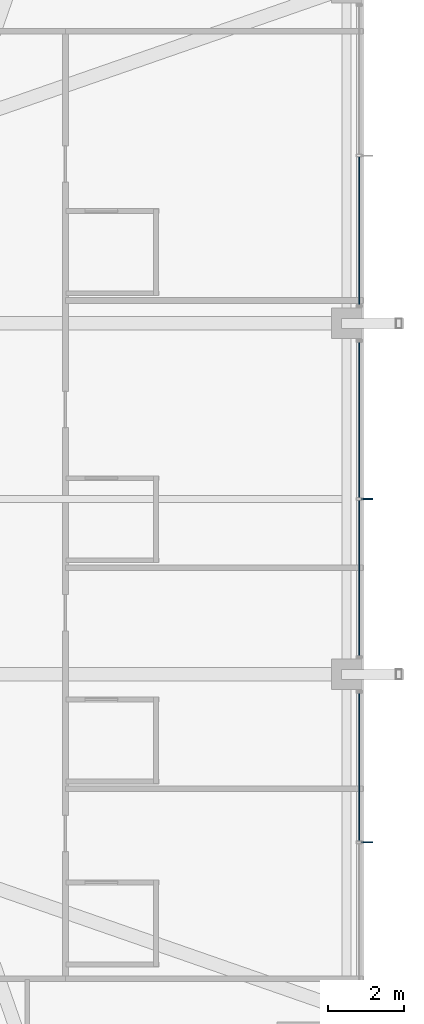
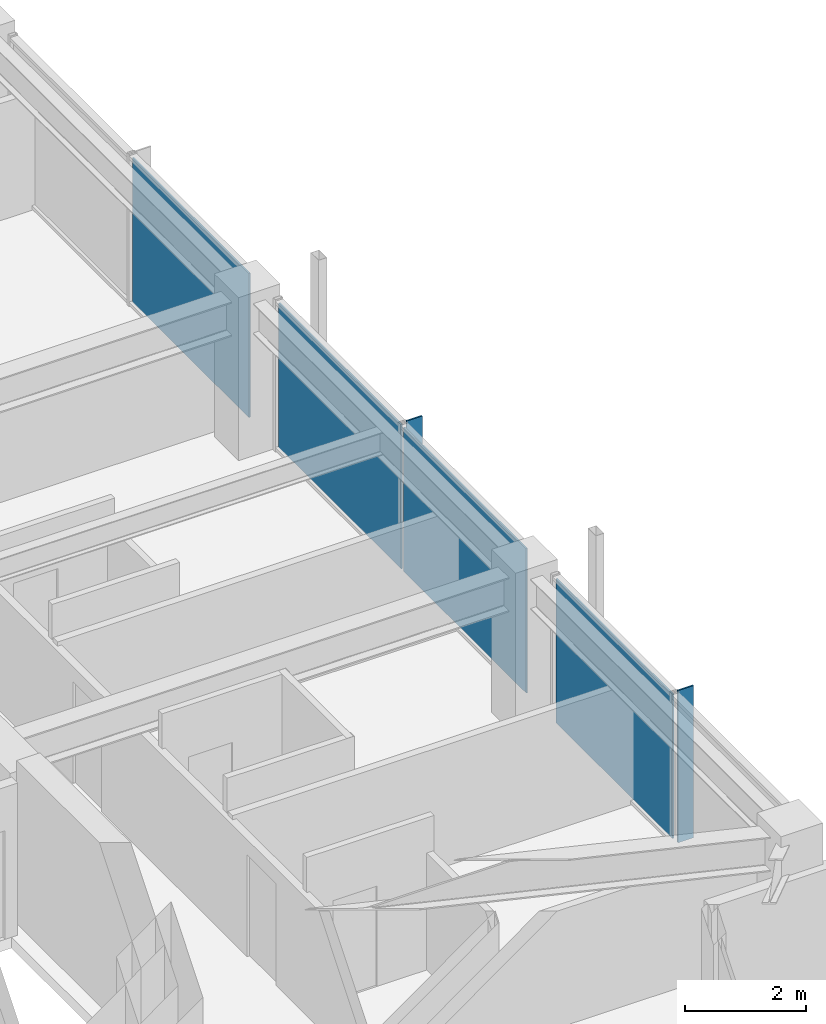
# One storey, part 28 of 38: 6 plates, 3 elements without a shape of their own.
"""IFC4 building model written with IfcOpenShell, lengths in metres."""

from ifc_helpers import new_model, si_unit, direction, frame, origin, origin_2d, place, context, subcontext, project, spatial, rectangle, extrude, material, layer, layer_set, type_object, element, aggregate, save


model = new_model("IFC4")

# Units and contexts
model_context = context("Model", 3, precision=1e-05, world=origin(), true_north=direction((0.0, 1.0)))
body_context = subcontext(model_context, "Body", "Model", "MODEL_VIEW")
ifc_project = project(units=[si_unit("LENGTHUNIT", "METRE"), si_unit("AREAUNIT", "SQUARE_METRE"), si_unit("VOLUMEUNIT", "CUBIC_METRE"), si_unit("PLANEANGLEUNIT", "RADIAN"), si_unit("MASSUNIT", "GRAM", prefix="KILO")], contexts=[model_context])

# Site, building, storey
site_placement = place(None, origin())
site = spatial("IfcSite", under=ifc_project, at=site_placement, CompositionType="ELEMENT")
building_placement = place(site_placement, origin())
building = spatial("IfcBuilding", under=site, at=building_placement, Name="Kolvaren Belvedere", CompositionType="ELEMENT")
storey_placement = place(building_placement, frame((0.0, 0.0, 213.0)))
storey = spatial("IfcBuildingStorey", under=building, at=storey_placement, Name="L62", CompositionType="ELEMENT", Elevation=213.0)

# Curtain wall, plate
ifc_material_1 = material(Name="Anodised pale-metal aluminium AA 6063-T6", Category="aluminium")
curtain_wall_type = type_object("IfcCurtainWallType", Name="CW-Z5-HIGH", PredefinedType="NOTDEFINED", material=ifc_material_1)
curtain_wall_1_placement = place(storey_placement, origin())
curtain_wall_1 = element("IfcCurtainWall", 1, at=curtain_wall_1_placement, inside=storey, type_object=curtain_wall_type, Name="L62 Unitised Curtain Wall FCW-L62-E-B1", PredefinedType="NOTDEFINED")
ifc_material_2 = material(Name="Low-iron triple insulated glass", Category="glass")
ifc_layer_1 = layer(ifc_material_2, 0.028076171875)
ifc_layer_set_1 = layer_set([ifc_layer_1], Name="Low-iron triple insulated glass")
plate_type_1 = type_object("IfcPlateType", Name="CW-PNL-VIS28", PredefinedType="CURTAIN_PANEL", material=ifc_layer_set_1)
plate_1_placement = place(storey_placement, frame((20.280029296875, 7.027587890625, 0.080078125), z_axis=(0.0, 0.0, 1.0), x_axis=(0.0, -1.0, 0.0)))
plate_1 = element("IfcPlate", 2, at=plate_1_placement, type_object=plate_type_1, Name="FCW-L62-E-B1 Vision Glazing Panel 2", PredefinedType="CURTAIN_PANEL", context=body_context, shape_type="SweptSolid", body=[
    extrude(rectangle(XDim=3.864990234375, YDim=0.028076171875, at=origin_2d()), origin(), (0.0, 0.0, 1.0), 2.919921875),
])
aggregate(curtain_wall_1, [plate_1])

# Curtain wall, plates
curtain_wall_2_placement = place(storey_placement, origin())
curtain_wall_2 = element("IfcCurtainWall", 3, at=curtain_wall_2_placement, inside=storey, type_object=curtain_wall_type, Name="L62 Unitised Curtain Wall FCW-L62-E-B2", PredefinedType="NOTDEFINED")
plate_2_placement = place(storey_placement, frame((20.280029296875, 2.072509765625, 0.080078125), z_axis=(0.0, 0.0, 1.0), x_axis=(0.0, -1.0, 0.0)))
plate_2 = element("IfcPlate", 4, at=plate_2_placement, type_object=plate_type_1, Name="FCW-L62-E-B2 Vision Glazing Panel 1", PredefinedType="CURTAIN_PANEL", context=body_context, shape_type="SweptSolid", body=[
    extrude(rectangle(XDim=4.06494140625, YDim=0.028076171875, at=origin_2d()), origin(), (0.0, 0.0, 1.0), 2.919921875),
])
plate_3_placement = place(storey_placement, frame((20.280029296875, -2.072509765625, 0.080078125), z_axis=(0.0, 0.0, 1.0), x_axis=(0.0, -1.0, 0.0)))
plate_3 = element("IfcPlate", 5, at=plate_3_placement, type_object=plate_type_1, Name="FCW-L62-E-B2 Vision Glazing Panel 2", PredefinedType="CURTAIN_PANEL", context=body_context, shape_type="SweptSolid", body=[
    extrude(rectangle(XDim=4.06494140625, YDim=0.028076171875, at=origin_2d()), origin(), (0.0, 0.0, 1.0), 2.919921875),
])
aggregate(curtain_wall_2, [plate_2, plate_3])

# Curtain wall, plate
curtain_wall_3_placement = place(storey_placement, origin())
curtain_wall_3 = element("IfcCurtainWall", 6, at=curtain_wall_3_placement, inside=storey, type_object=curtain_wall_type, Name="L62 Unitised Curtain Wall FCW-L62-E-B3", PredefinedType="NOTDEFINED")
plate_4_placement = place(storey_placement, frame((20.280029296875, -7.027587890625, 0.080078125), z_axis=(0.0, 0.0, 1.0), x_axis=(0.0, -1.0, 0.0)))
plate_4 = element("IfcPlate", 7, at=plate_4_placement, type_object=plate_type_1, Name="FCW-L62-E-B3 Vision Glazing Panel 1", PredefinedType="CURTAIN_PANEL", context=body_context, shape_type="SweptSolid", body=[
    extrude(rectangle(XDim=3.864990234375, YDim=0.028076171875, at=origin_2d()), origin(), (0.0, 0.0, 1.0), 2.919921875),
])
aggregate(curtain_wall_3, [plate_4])

# Plates
ifc_material_3 = material(Name="Anodised pale-metal aluminium AA 6063-T6", Category="aluminium")
ifc_layer_2 = layer(ifc_material_3, 0.030029296875)
ifc_layer_set_2 = layer_set([ifc_layer_2], Name="Anodised pale-metal aluminium AA 6063-T6")
plate_type_2 = type_object("IfcPlateType", Name="FIN-VERT-300", PredefinedType="USERDEFINED", material=ifc_layer_set_2)
for number, where, z_axis, x_axis, name in (
    (8, (20.489990234375, 0.0, 0.0), (0.0, 0.0, 1.0), (1.0, 0.0, 0.0), "L62 Pale-Metal Vertical Shading Fin FCW-L62-E-B2-1"),
    (9, (20.489990234375, -9.0, 0.0), (0.0, 0.0, 1.0), (1.0, 0.0, 0.0), "L62 Pale-Metal Vertical Shading Fin FCW-L62-E-B3-1"),
):
    element("IfcPlate", number, at=place(storey_placement, frame(where, z_axis=z_axis, x_axis=x_axis)), inside=storey, type_object=plate_type_2, Name=name, ObjectType="VERTICAL FIN", PredefinedType="USERDEFINED", context=body_context, shape_type="SweptSolid", body=[
        extrude(rectangle(XDim=0.300048828125, YDim=0.030029296875, at=origin_2d()), origin(), (0.0, 0.0, 1.0), 3.080078125),
    ])

save(model, "model.ifc")
